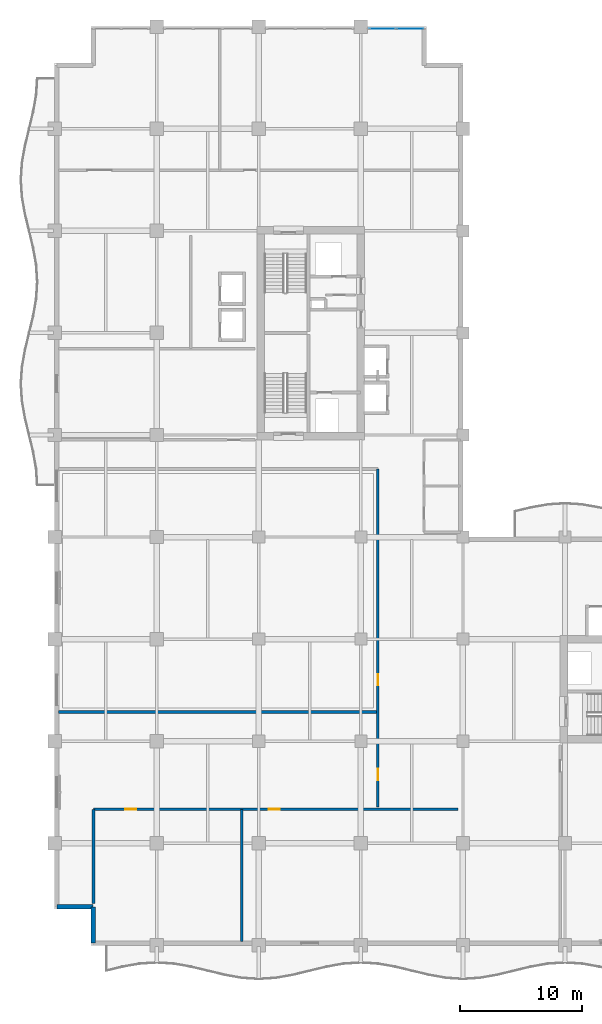
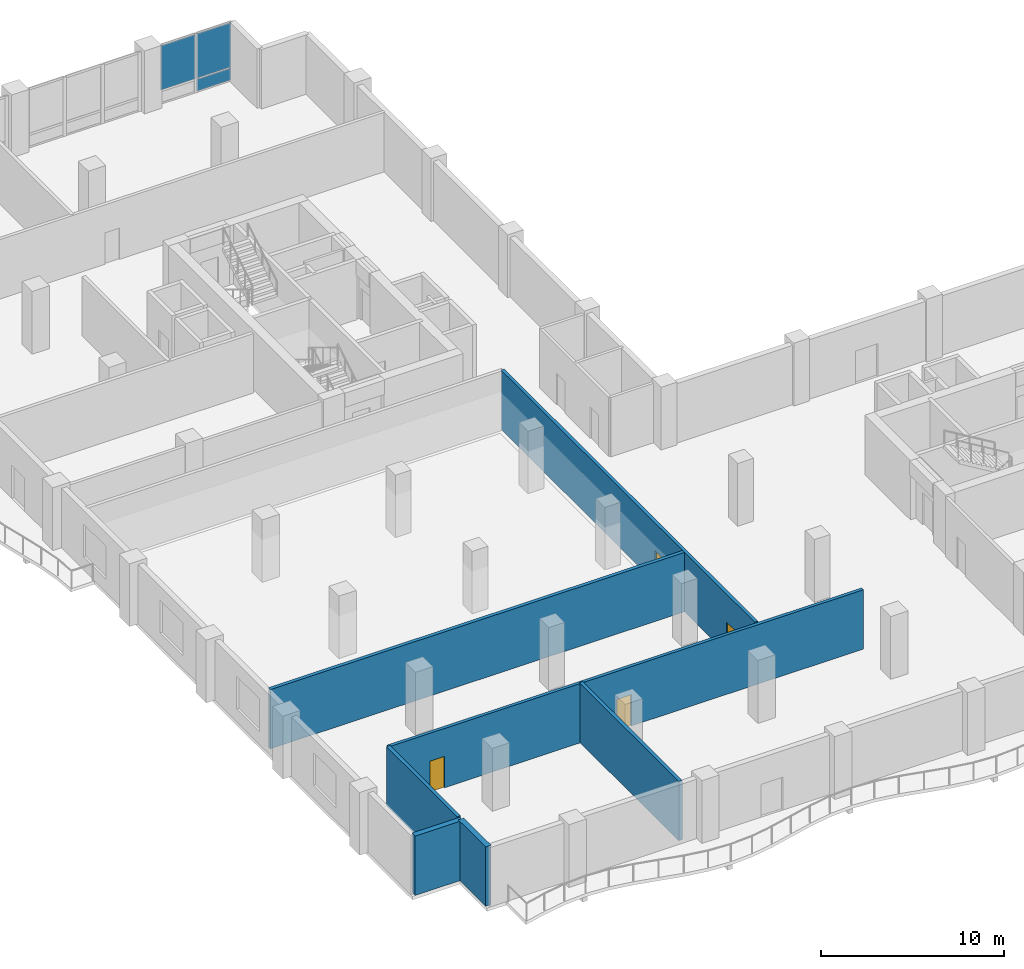
# One storey, part 10 of 22: 7 walls, 4 doors, 3 plates, 4 openings, 1 element without a shape of its own.
"""IFC4 building model written with IfcOpenShell, lengths in metres."""

from ifc_helpers import new_model, si_unit, direction, frame, frame_2d, origin, origin_2d, place, context, subcontext, project, spatial, rectangle, extrude, material, layer, layer_set, type_object, element, fill, aggregate, save


model = new_model("IFC4")

# Units and contexts
model_context = context("Model", 3, precision=1e-05, world=origin(), true_north=direction((0.0, 1.0)))
body_context = subcontext(model_context, "Body", "Model", "MODEL_VIEW")
ifc_project = project(units=[si_unit("LENGTHUNIT", "METRE"), si_unit("AREAUNIT", "SQUARE_METRE"), si_unit("VOLUMEUNIT", "CUBIC_METRE"), si_unit("PLANEANGLEUNIT", "RADIAN"), si_unit("MASSUNIT", "GRAM", prefix="KILO")], contexts=[model_context])

# Site, building, storey
site_placement = place(None, origin())
site = spatial("IfcSite", under=ifc_project, at=site_placement, CompositionType="ELEMENT")
building_placement = place(site_placement, origin())
building = spatial("IfcBuilding", under=site, at=building_placement, Name="Koriwani Terraces Tower", CompositionType="ELEMENT")
storey_placement = place(building_placement, frame((0.0, 0.0, 219.800048828125)))
storey = spatial("IfcBuildingStorey", under=building, at=storey_placement, Name="L54", CompositionType="ELEMENT", Elevation=219.800048828125)

# Curtain wall, plates
ifc_material_1 = material(Name="Anodised Bronze Aluminium", Category="aluminium")
ifc_layer_1 = layer(ifc_material_1, 0.219970703125, Name="Anodised Bronze Aluminium")
ifc_layer_set_1 = layer_set([ifc_layer_1], Name="Anodised Bronze Aluminium")
curtain_wall_type = type_object("IfcCurtainWallType", Name="CW_SKY_LOUNGE", PredefinedType="NOTDEFINED", material=ifc_layer_set_1)
curtain_wall_placement = place(storey_placement, origin())
curtain_wall = element("IfcCurtainWall", 1, at=curtain_wall_placement, inside=storey, type_object=curtain_wall_type, Name="L54 Unitised Curtain Wall (N_TIP) Bay 4", PredefinedType="NOTDEFINED")
ifc_material_2 = material(Name="Tempered Laminated Low-E Glass", Category="glass")
ifc_layer_2 = layer(ifc_material_2, 0.028076171875, Name="Tempered Laminated Low-E Glass")
ifc_layer_set_2 = layer_set([ifc_layer_2], Name="Tempered Laminated Low-E Glass")
plate_type = type_object("IfcPlateType", Name="CW_PANEL_VISION_28", PredefinedType="CURTAIN_PANEL", material=ifc_layer_set_2)
plate_1_placement = place(storey_placement, frame((26.985107421875, 75.425048828125, 0.9326171875), z_axis=(0.0, 0.0, 1.0), x_axis=(1.0, 0.0, 0.0)))
plate_1 = element("IfcPlate", 2, at=plate_1_placement, type_object=plate_type, Name="CW-SKY panel 1.2", PredefinedType="CURTAIN_PANEL", context=body_context, shape_type="SweptSolid", body=[
    extrude(rectangle(XDim=2.179931640625, YDim=0.028076171875, at=origin_2d()), origin(), (0.0, 0.0, 1.0), 2.972412109375),
])
plate_2_placement = place(storey_placement, frame((29.25, 75.425048828125, 0.06494140625), z_axis=(0.0, 0.0, 1.0), x_axis=(1.0, 0.0, 0.0)))
plate_2 = element("IfcPlate", 3, at=plate_2_placement, type_object=plate_type, Name="CW-SKY panel 2.1", PredefinedType="CURTAIN_PANEL", context=body_context, shape_type="SweptSolid", body=[
    extrude(rectangle(XDim=2.179931640625, YDim=0.028076171875, at=origin_2d()), origin(), (0.0, 0.0, 1.0), 0.802490234375),
])
plate_3_placement = place(storey_placement, frame((29.25, 75.425048828125, 0.9326171875), z_axis=(0.0, 0.0, 1.0), x_axis=(1.0, 0.0, 0.0)))
plate_3 = element("IfcPlate", 4, at=plate_3_placement, type_object=plate_type, Name="CW-SKY panel 2.2", PredefinedType="CURTAIN_PANEL", context=body_context, shape_type="SweptSolid", body=[
    extrude(rectangle(XDim=2.179931640625, YDim=0.028076171875, at=origin_2d()), origin(), (0.0, 0.0, 1.0), 2.972412109375),
])
aggregate(curtain_wall, [plate_1, plate_2, plate_3])

# Wall, openings, doors
ifc_material_3 = material(Name="Autoclaved Cellular Concrete Blockwork", Category="masonry")
ifc_layer_3 = layer(ifc_material_3, 0.199951171875, Name="Autoclaved Cellular Concrete Blockwork")
ifc_layer_set_3 = layer_set([ifc_layer_3], Name="Autoclaved Cellular Concrete Blockwork")
wall_type_1 = type_object("IfcWallType", Name="WALL_CORRIDOR_200", PredefinedType="PARTITIONING", material=ifc_layer_set_3)
wall_1_placement = place(storey_placement, frame((3.199951171875, 11.199951171875, 0.0), z_axis=(0.0, 0.0, 1.0), x_axis=(1.0, 0.0, 0.0)))
wall_1 = element("IfcWall", 5, at=wall_1_placement, inside=storey, type_object=wall_type_1, Name="L54 Interior Wall WSKY-SPN-L54", PredefinedType="PARTITIONING", context=body_context, shape_type="SweptSolid", body=[
    extrude(rectangle(XDim=30.0, YDim=0.199951171875, at=frame_2d((15.0, 0.0))), origin(), (0.0, 0.0, 1.0), 3.969970703125),
])
opening_1_placement = place(wall_1_placement, frame((2.60009765625, 0.0, 0.0)))
opening_1 = element("IfcOpeningElement", 6, at=opening_1_placement, cuts=wall_1, Name="Opening D-06", PredefinedType="OPENING", context=body_context, shape_type="SweptSolid", body=[
    extrude(rectangle(XDim=0.919921875, YDim=2.10009765625, at=frame_2d((0.4599609375, 1.050048828125))), frame((0.0, 0.10986328125, 0.0), z_axis=(0.0, -1.0, 0.0), x_axis=(1.0, 0.0, 0.0)), (0.0, 0.0, 1.0), 0.219970703125),
])
opening_2_placement = place(wall_1_placement, frame((14.39990234375, 0.0, 0.0)))
opening_2 = element("IfcOpeningElement", 7, at=opening_2_placement, cuts=wall_1, Name="Opening D-06", PredefinedType="OPENING", context=body_context, shape_type="SweptSolid", body=[
    extrude(rectangle(XDim=0.919921875, YDim=2.10009765625, at=frame_2d((0.4599609375, 1.050048828125))), frame((0.0, 0.10986328125, 0.0), z_axis=(0.0, -1.0, 0.0), x_axis=(1.0, 0.0, 0.0)), (0.0, 0.0, 1.0), 0.219970703125),
])
ifc_material_4 = material(Name="Architectural Oak Fire Door", Category="wood")
door_type = type_object("IfcDoorType", Name="DOOR_ROOM_INT_920X2100", OperationType="NOTDEFINED", PredefinedType="DOOR", material=ifc_material_4)
door_1_placement = place(opening_1_placement, origin())
door_1 = element("IfcDoor", 8, at=door_1_placement, inside=storey, type_object=door_type, Name="L54 Sky Spa Salon Door", OperationType="SINGLE_SWING_RIGHT", OverallHeight=2.10009765625, OverallWidth=0.919921875, PredefinedType="DOOR", context=body_context, shape_type="SweptSolid", body=[
    extrude(rectangle(XDim=0.919921875, YDim=2.10009765625, at=frame_2d((0.4599609375, 1.050048828125))), frame((0.0, 0.02490234375, 0.0), z_axis=(0.0, -1.0, 0.0), x_axis=(1.0, 0.0, 0.0)), (0.0, 0.0, 1.0), 0.050048828125),
])
fill(opening_1, door_1)
door_2_placement = place(opening_2_placement, origin())
door_2 = element("IfcDoor", 9, at=door_2_placement, inside=storey, type_object=door_type, Name="L54 Sommelier Kitchen Door", OperationType="SINGLE_SWING_LEFT", OverallHeight=2.10009765625, OverallWidth=0.919921875, PredefinedType="DOOR", context=body_context, shape_type="SweptSolid", body=[
    extrude(rectangle(XDim=0.919921875, YDim=2.10009765625, at=frame_2d((0.4599609375, 1.050048828125))), frame((0.0, 0.02490234375, 0.0), z_axis=(0.0, -1.0, 0.0), x_axis=(1.0, 0.0, 0.0)), (0.0, 0.0, 1.0), 0.050048828125),
])
fill(opening_2, door_2)

wall_2_placement = place(storey_placement, frame((26.60009765625, 11.39990234375, 0.0), z_axis=(0.0, 0.0, 1.0), x_axis=(0.0, 1.0, 0.0)))
wall_2 = element("IfcWall", 10, at=wall_2_placement, inside=storey, type_object=wall_type_1, Name="L54 Interior Wall WSKY-WME-L54", PredefinedType="PARTITIONING", context=body_context, shape_type="SweptSolid", body=[
    extrude(rectangle(XDim=27.800048828125, YDim=0.199951171875, at=frame_2d((13.89990234375, 0.0))), origin(), (0.0, 0.0, 1.0), 3.969970703125),
])
opening_3_placement = place(wall_2_placement, frame((2.199951171875, 0.0, 0.0)))
opening_3 = element("IfcOpeningElement", 11, at=opening_3_placement, cuts=wall_2, Name="Opening D-06", PredefinedType="OPENING", context=body_context, shape_type="SweptSolid", body=[
    extrude(rectangle(XDim=0.919921875, YDim=2.10009765625, at=frame_2d((0.4599609375, 1.050048828125))), frame((0.0, 0.10986328125, 0.0), z_axis=(0.0, -1.0, 0.0), x_axis=(1.0, 0.0, 0.0)), (0.0, 0.0, 1.0), 0.219970703125),
])
opening_4_placement = place(wall_2_placement, frame((10.0, 0.0, 0.0)))
opening_4 = element("IfcOpeningElement", 12, at=opening_4_placement, cuts=wall_2, Name="Opening D-06", PredefinedType="OPENING", context=body_context, shape_type="SweptSolid", body=[
    extrude(rectangle(XDim=0.919921875, YDim=2.10009765625, at=frame_2d((0.4599609375, 1.050048828125))), frame((0.0, 0.10986328125, 0.0), z_axis=(0.0, -1.0, 0.0), x_axis=(1.0, 0.0, 0.0)), (0.0, 0.0, 1.0), 0.219970703125),
])
door_3_placement = place(opening_3_placement, origin())
door_3 = element("IfcDoor", 13, at=door_3_placement, inside=storey, type_object=door_type, Name="L54 Screening Room Door", OperationType="SINGLE_SWING_RIGHT", OverallHeight=2.10009765625, OverallWidth=0.919921875, PredefinedType="DOOR", context=body_context, shape_type="SweptSolid", body=[
    extrude(rectangle(XDim=0.919921875, YDim=2.10009765625, at=frame_2d((0.4599609375, 1.050048828125))), frame((0.0, 0.02490234375, 0.0), z_axis=(0.0, -1.0, 0.0), x_axis=(1.0, 0.0, 0.0)), (0.0, 0.0, 1.0), 0.050048828125),
])
fill(opening_3, door_3)
door_4_placement = place(opening_4_placement, origin())
door_4 = element("IfcDoor", 14, at=door_4_placement, inside=storey, type_object=door_type, Name="L54 Study Library Door", OperationType="SINGLE_SWING_LEFT", OverallHeight=2.10009765625, OverallWidth=0.919921875, PredefinedType="DOOR", context=body_context, shape_type="SweptSolid", body=[
    extrude(rectangle(XDim=0.919921875, YDim=2.10009765625, at=frame_2d((0.4599609375, 1.050048828125))), frame((0.0, 0.02490234375, 0.0), z_axis=(0.0, -1.0, 0.0), x_axis=(1.0, 0.0, 0.0)), (0.0, 0.0, 1.0), 0.050048828125),
])
fill(opening_4, door_4)

# Walls
ifc_layer_4 = layer(ifc_material_3, 0.219970703125, Name="Autoclaved Cellular Concrete Blockwork")
ifc_layer_set_4 = layer_set([ifc_layer_4], Name="Autoclaved Cellular Concrete Blockwork")
wall_type_2 = type_object("IfcWallType", Name="WALL_DEMISING_220", PredefinedType="PARTITIONING", material=ifc_layer_set_4)
wall_3_placement = place(storey_placement, frame((3.199951171875, 3.449951171875, 0.0), z_axis=(0.0, 0.0, 1.0), x_axis=(0.0, 1.0, 0.0)))
element("IfcWall", 15, at=wall_3_placement, inside=storey, type_object=wall_type_2, Name="L54 Interior Wall WSKY-SPW-L54", PredefinedType="PARTITIONING", context=body_context, shape_type="SweptSolid", body=[
    extrude(rectangle(XDim=7.75, YDim=0.219970703125, at=frame_2d((3.875, 0.0))), origin(), (0.0, 0.0, 1.0), 3.969970703125),
])
wall_4_placement = place(storey_placement, frame((15.39990234375, 0.300048828125, 0.0), z_axis=(0.0, 0.0, 1.0), x_axis=(0.0, 1.0, 0.0)))
element("IfcWall", 16, at=wall_4_placement, inside=storey, type_object=wall_type_2, Name="L54 Interior Wall WSKY-SPM-L54", PredefinedType="PARTITIONING", context=body_context, shape_type="SweptSolid", body=[
    extrude(rectangle(XDim=10.89990234375, YDim=0.219970703125, at=frame_2d((5.449951171875, 0.0))), origin(), (0.0, 0.0, 1.0), 3.969970703125),
])
wall_5_placement = place(storey_placement, frame((0.300048828125, 19.199951171875, 0.0), z_axis=(0.0, 0.0, 1.0), x_axis=(1.0, 0.0, 0.0)))
element("IfcWall", 17, at=wall_5_placement, inside=storey, type_object=wall_type_2, Name="L54 Interior Wall WSKY-WMM-L54", PredefinedType="PARTITIONING", context=body_context, shape_type="SweptSolid", body=[
    extrude(rectangle(XDim=26.300048828125, YDim=0.219970703125, at=frame_2d((13.14990234375, 0.0))), origin(), (0.0, 0.0, 1.0), 3.969970703125),
])
ifc_material_5 = material(Name="Concrete C50/60", Category="concrete")
ifc_layer_5 = layer(ifc_material_5, 0.35009765625, Name="Concrete C50/60")
ifc_layer_set_5 = layer_set([ifc_layer_5], Name="Concrete C50/60")
wall_type_3 = type_object("IfcWallType", Name="WALL_EXT_BRUTALIST_350", PredefinedType="STANDARD", material=ifc_layer_set_5)
for number, where, z_axis, x_axis, name in (
    (18, (3.175048828125, 0.175048828125, 0.0), (0.0, 0.0, 1.0), (0.0, 1.0, 0.0), "L54 Fair-Faced Brutalist Exterior Wall (N0)"),
    (19, (3.175048828125, 3.175048828125, 0.0), (0.0, 0.0, 1.0), (-1.0, 0.0, 0.0), "L54 Fair-Faced Brutalist Exterior Wall (N1)"),
):
    element("IfcWall", number, at=place(storey_placement, frame(where, z_axis=z_axis, x_axis=x_axis)), inside=storey, type_object=wall_type_3, Name=name, PredefinedType="STANDARD", context=body_context, shape_type="SweptSolid", body=[
        extrude(rectangle(XDim=3.0, YDim=0.35009765625, at=frame_2d((1.5, 0.0))), origin(), (0.0, 0.0, 1.0), 3.969970703125),
    ])

save(model, "model.ifc")
